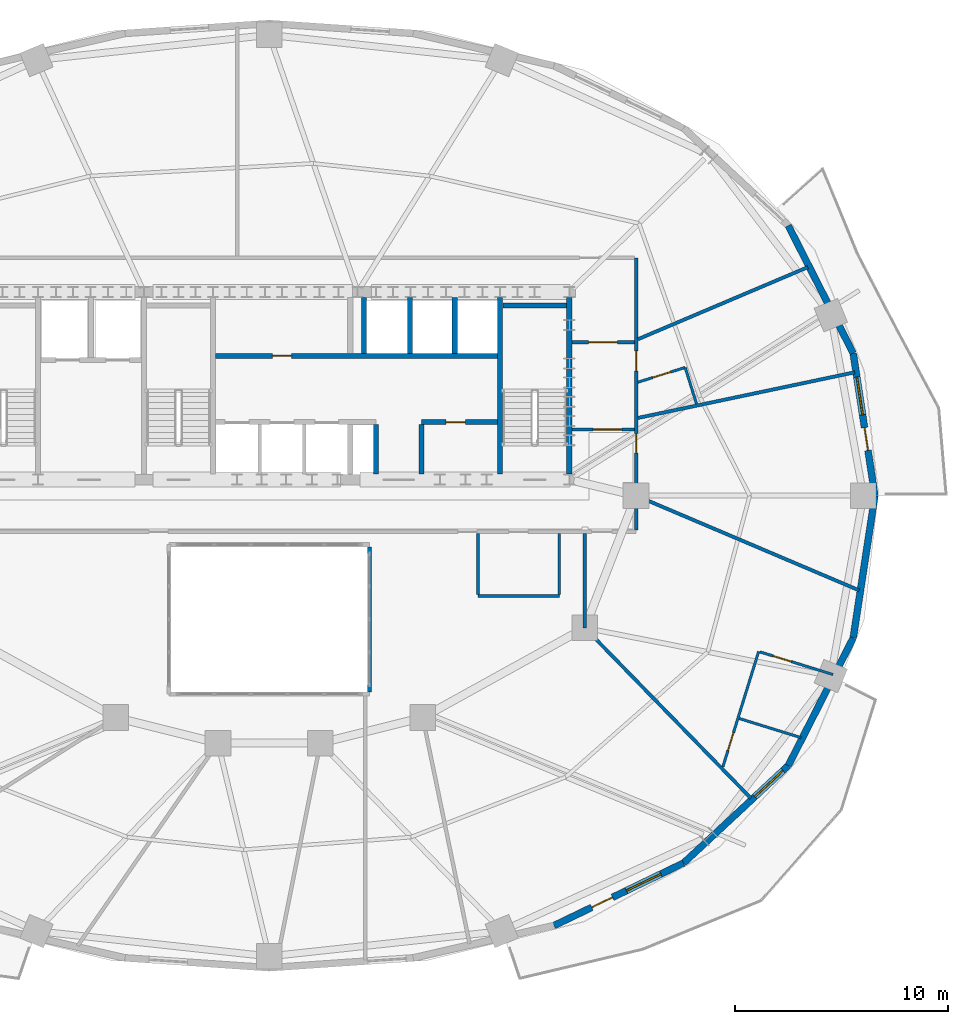
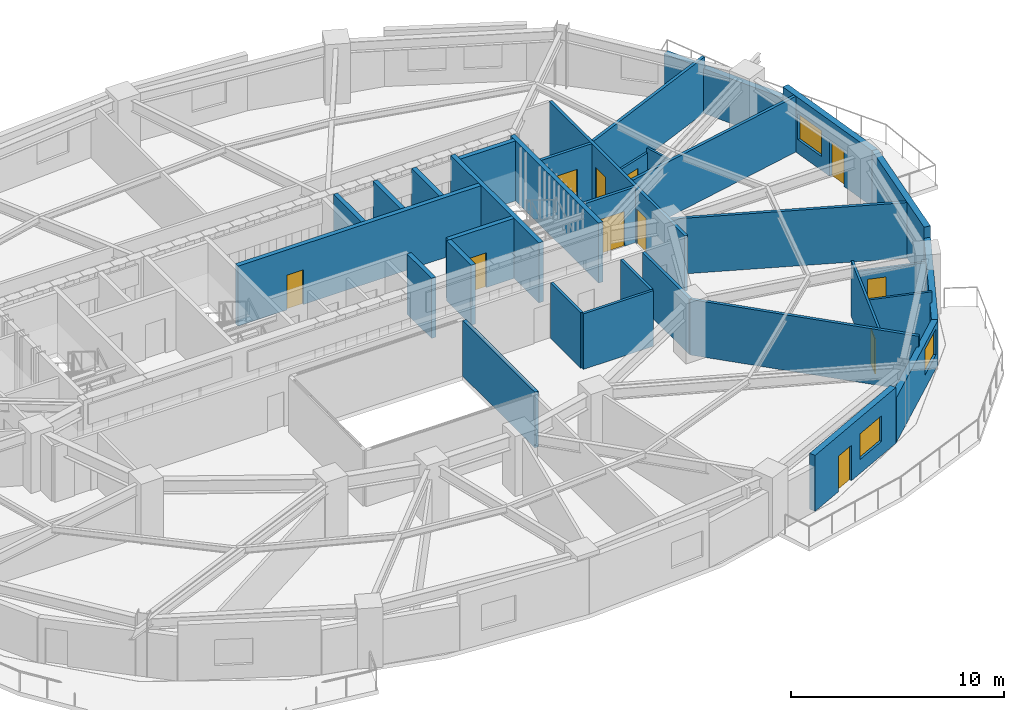
# One storey, part 8 of 12: 33 walls, 11 doors, 3 windows, 14 openings.
"""IFC4 building model written with IfcOpenShell, lengths in metres."""

from ifc_helpers import new_model, si_unit, direction, frame, frame_2d, origin, place, context, subcontext, project, spatial, rectangle, extrude, material, layer, layer_set, type_object, element, fill, save


model = new_model("IFC4")

# Units and contexts
model_context = context("Model", 3, precision=1e-05, world=origin(), true_north=direction((0.0, 1.0)))
body_context = subcontext(model_context, "Body", "Model", "MODEL_VIEW")
ifc_project = project(units=[si_unit("LENGTHUNIT", "METRE"), si_unit("AREAUNIT", "SQUARE_METRE"), si_unit("VOLUMEUNIT", "CUBIC_METRE"), si_unit("PLANEANGLEUNIT", "RADIAN"), si_unit("MASSUNIT", "GRAM", prefix="KILO")], contexts=[model_context])

# Site, building, storey
site_placement = place(None, origin())
site = spatial("IfcSite", under=ifc_project, at=site_placement, CompositionType="ELEMENT")
building_placement = place(site_placement, origin())
building = spatial("IfcBuilding", under=site, at=building_placement, Name="Haldorwick Loom Tower", CompositionType="ELEMENT")
storey_placement = place(building_placement, frame((0.0, 0.0, 117.35009765625)))
storey = spatial("IfcBuildingStorey", under=building, at=storey_placement, Name="L31", CompositionType="ELEMENT", Elevation=117.35009765625)

# Wall, openings, door, window
ifc_material_1 = material(Name="Pressed Clay Face Brick and Insulated Masonry Backup Assembly", Category="masonry")
ifc_layer_1 = layer(ifc_material_1, 0.320068359375, Name="Pressed Clay Face Brick and Insulated Masonry Backup Assembly", Category="masonry")
ifc_layer_set_1 = layer_set([ifc_layer_1], Name="Pressed Clay Face Brick and Insulated Masonry Backup Assembly")
wall_type_1 = type_object("IfcWallType", Name="ARC-WL-EXT320", PredefinedType="STANDARD", material=ifc_layer_set_1)
wall_1_placement = place(storey_placement, frame((64.397705078125, 26.0, 0.0), z_axis=(0.0, 0.0, 1.0), x_axis=(-0.150633288003, 0.988589708901, 0.0)))
wall_1 = element("IfcWall", 1, at=wall_1_placement, inside=storey, type_object=wall_type_1, Name="L31 Brick Pier and Spandrel Wall 1", PredefinedType="STANDARD", context=body_context, shape_type="SweptSolid", body=[
    extrude(rectangle(XDim=6.752197265625, YDim=0.320068359375, at=frame_2d((3.3759765625, 0.0))), origin(), (0.0, 0.0, 1.0), 3.2099609375),
])
opening_1_placement = place(wall_1_placement, frame((2.144287109375, 0.0, 0.0)))
opening_1 = element("IfcOpeningElement", 2, at=opening_1_placement, cuts=wall_1, Name="Opening D-BL11", PredefinedType="OPENING", context=body_context, shape_type="SweptSolid", body=[
    extrude(rectangle(XDim=1.080078125, YDim=2.0400390625, at=frame_2d((0.5400390625, 1.02001953125))), frame((0.0, 0.169921875, 0.0), z_axis=(0.0, -1.0, 0.0), x_axis=(1.0, 0.0, 0.0)), (0.0, 0.0, 1.0), 0.340087890625),
])
opening_2_placement = place(wall_1_placement, frame((3.826416015625, 0.0, 0.800048828125)))
opening_2 = element("IfcOpeningElement", 3, at=opening_2_placement, cuts=wall_1, Name="Opening W-01", PredefinedType="OPENING", context=body_context, shape_type="SweptSolid", body=[
    extrude(rectangle(XDim=1.800048828125, YDim=1.47998046875, at=frame_2d((0.89990234375, 0.739990234375))), frame((0.0, 0.169921875, 0.0), z_axis=(0.0, -1.0, 0.0), x_axis=(1.0, 0.0, 0.0)), (0.0, 0.0, 1.0), 0.340087890625),
])
ifc_material_2 = material(Name="Thermally Broken Anodized Aluminium Curtain Wall Framing", Category="aluminium")
door_type_1 = type_object("IfcDoorType", Name="ARC-DR-BAL110", OperationType="NOTDEFINED", PredefinedType="DOOR", material=ifc_material_2)
door_1_placement = place(opening_1_placement, origin())
door_1 = element("IfcDoor", 4, at=door_1_placement, inside=storey, type_object=door_type_1, Name="L31 Outdoor Terrace Door SLB-L31-BAL_ENE", OperationType="SINGLE_SWING_RIGHT", OverallHeight=2.0400390625, OverallWidth=1.080078125, PredefinedType="DOOR", context=body_context, shape_type="SweptSolid", body=[
    extrude(rectangle(XDim=1.080078125, YDim=2.0400390625, at=frame_2d((0.5400390625, 1.02001953125))), frame((0.0, 0.02490234375, 0.0), z_axis=(0.0, -1.0, 0.0), x_axis=(1.0, 0.0, 0.0)), (0.0, 0.0, 1.0), 0.050048828125),
])
fill(opening_1, door_1)
ifc_material_3 = material(Name="Triple-Glazed Low-E Argon Insulated Glazing Unit", Category="glass")
window_type = type_object("IfcWindowType", Name="ARC-WIN-W180", PartitioningType="SINGLE_PANEL", PredefinedType="WINDOW", material=ifc_material_3)
window_1_placement = place(opening_2_placement, origin())
window_1 = element("IfcWindow", 5, at=window_1_placement, inside=storey, type_object=window_type, Name="L31 Deep-Set Zone 7A Window 1", OverallHeight=1.47998046875, OverallWidth=1.800048828125, PartitioningType="SINGLE_PANEL", PredefinedType="WINDOW", context=body_context, shape_type="SweptSolid", body=[
    extrude(rectangle(XDim=1.800048828125, YDim=1.47998046875, at=frame_2d((0.89990234375, 0.739990234375))), frame((0.0, 0.030029296875, 0.0), z_axis=(0.0, -1.0, 0.0), x_axis=(1.0, 0.0, 0.0)), (0.0, 0.0, 1.0), 0.06005859375),
])
fill(opening_2, window_1)

# Wall
wall_2_placement = place(storey_placement, frame((63.380615234375, 32.675048828125, 0.0), z_axis=(0.0, 0.0, 1.0), x_axis=(-0.453374078001, 0.89132033826, 0.0)))
element("IfcWall", 6, at=wall_2_placement, inside=storey, type_object=wall_type_1, Name="L31 Brick Pier and Spandrel Wall 2", PredefinedType="STANDARD", context=body_context, shape_type="SweptSolid", body=[
    extrude(rectangle(XDim=6.709716796875, YDim=0.320068359375, at=frame_2d((3.35498046875, 0.0))), origin(), (0.0, 0.0, 1.0), 2.56884765625),
])

# Wall, openings, door, window
wall_3_placement = place(storey_placement, frame((49.352783203125, 5.841552734375, 0.0), z_axis=(0.0, 0.0, 1.0), x_axis=(0.900510094661, 0.434835106004, 0.0)))
wall_3 = element("IfcWall", 7, at=wall_3_placement, inside=storey, type_object=wall_type_1, Name="L31 Brick Pier and Spandrel Wall 21", PredefinedType="STANDARD", context=body_context, shape_type="SweptSolid", body=[
    extrude(rectangle(XDim=6.744873046875, YDim=0.320068359375, at=frame_2d((3.37255859375, 0.0))), origin(), (0.0, 0.0, 1.0), 3.2099609375),
])
opening_3_placement = place(wall_3_placement, frame((1.96826171875, 0.0, 0.0)))
opening_3 = element("IfcOpeningElement", 8, at=opening_3_placement, cuts=wall_3, Name="Opening D-BL11", PredefinedType="OPENING", context=body_context, shape_type="SweptSolid", body=[
    extrude(rectangle(XDim=1.080078125, YDim=2.0400390625, at=frame_2d((0.5400390625, 1.02001953125))), frame((0.0, 0.169921875, 0.0), z_axis=(0.0, -1.0, 0.0), x_axis=(1.0, 0.0, 0.0)), (0.0, 0.0, 1.0), 0.340087890625),
])
opening_4_placement = place(wall_3_placement, frame((3.763916015625, 0.0, 0.800048828125)))
opening_4 = element("IfcOpeningElement", 9, at=opening_4_placement, cuts=wall_3, Name="Opening W-01", PredefinedType="OPENING", context=body_context, shape_type="SweptSolid", body=[
    extrude(rectangle(XDim=1.800048828125, YDim=1.47998046875, at=frame_2d((0.89990234375, 0.739990234375))), frame((0.0, 0.169921875, 0.0), z_axis=(0.0, -1.0, 0.0), x_axis=(1.0, 0.0, 0.0)), (0.0, 0.0, 1.0), 0.340087890625),
])
door_2_placement = place(opening_3_placement, origin())
door_2 = element("IfcDoor", 10, at=door_2_placement, inside=storey, type_object=door_type_1, Name="L31 Outdoor Terrace Door SLB-L31-BAL_SE", OperationType="SINGLE_SWING_RIGHT", OverallHeight=2.0400390625, OverallWidth=1.080078125, PredefinedType="DOOR", context=body_context, shape_type="SweptSolid", body=[
    extrude(rectangle(XDim=1.080078125, YDim=2.0400390625, at=frame_2d((0.5400390625, 1.02001953125))), frame((0.0, 0.02490234375, 0.0), z_axis=(0.0, -1.0, 0.0), x_axis=(1.0, 0.0, 0.0)), (0.0, 0.0, 1.0), 0.050048828125),
])
fill(opening_3, door_2)
window_2_placement = place(opening_4_placement, origin())
window_2 = element("IfcWindow", 11, at=window_2_placement, inside=storey, type_object=window_type, Name="L31 Deep-Set Zone 7A Window 21", OverallHeight=1.47998046875, OverallWidth=1.800048828125, PartitioningType="SINGLE_PANEL", PredefinedType="WINDOW", context=body_context, shape_type="SweptSolid", body=[
    extrude(rectangle(XDim=1.800048828125, YDim=1.47998046875, at=frame_2d((0.89990234375, 0.739990234375))), frame((0.0, 0.030029296875, 0.0), z_axis=(0.0, -1.0, 0.0), x_axis=(1.0, 0.0, 0.0)), (0.0, 0.0, 1.0), 0.06005859375),
])
fill(opening_4, window_2)

# Wall, opening, window
wall_4_placement = place(storey_placement, frame((55.426513671875, 8.7744140625, 0.0), z_axis=(0.0, 0.0, 1.0), x_axis=(0.732137360086, 0.681157020052, 0.0)))
wall_4 = element("IfcWall", 12, at=wall_4_placement, inside=storey, type_object=wall_type_1, Name="L31 Brick Pier and Spandrel Wall 22", PredefinedType="STANDARD", context=body_context, shape_type="SweptSolid", body=[
    extrude(rectangle(XDim=6.709228515625, YDim=0.320068359375, at=frame_2d((3.3544921875, 0.0))), origin(), (0.0, 0.0, 1.0), 2.56884765625),
])
opening_5_placement = place(wall_4_placement, frame((4.569580078125, 0.0, 0.800048828125)))
opening_5 = element("IfcOpeningElement", 13, at=opening_5_placement, cuts=wall_4, Name="Opening W-01", PredefinedType="OPENING", context=body_context, shape_type="SweptSolid", body=[
    extrude(rectangle(XDim=1.800048828125, YDim=1.47998046875, at=frame_2d((0.89990234375, 0.739990234375))), frame((0.0, 0.169921875, 0.0), z_axis=(0.0, -1.0, 0.0), x_axis=(1.0, 0.0, 0.0)), (0.0, 0.0, 1.0), 0.340087890625),
])
window_3_placement = place(opening_5_placement, origin())
window_3 = element("IfcWindow", 14, at=window_3_placement, inside=storey, type_object=window_type, Name="L31 Deep-Set Zone 7A Window 22", OverallHeight=1.47998046875, OverallWidth=1.800048828125, PartitioningType="SINGLE_PANEL", PredefinedType="WINDOW", context=body_context, shape_type="SweptSolid", body=[
    extrude(rectangle(XDim=1.800048828125, YDim=1.47998046875, at=frame_2d((0.89990234375, 0.739990234375))), frame((0.0, 0.030029296875, 0.0), z_axis=(0.0, -1.0, 0.0), x_axis=(1.0, 0.0, 0.0)), (0.0, 0.0, 1.0), 0.06005859375),
])
fill(opening_5, window_3)

# Walls
wall_5_placement = place(storey_placement, frame((60.338623046875, 13.344482421875, 0.0), z_axis=(0.0, 0.0, 1.0), x_axis=(0.453374078001, 0.89132033826, 0.0)))
element("IfcWall", 15, at=wall_5_placement, inside=storey, type_object=wall_type_1, Name="L31 Brick Pier and Spandrel Wall 23", PredefinedType="STANDARD", context=body_context, shape_type="SweptSolid", body=[
    extrude(rectangle(XDim=6.709716796875, YDim=0.320068359375, at=frame_2d((3.35498046875, 0.0))), origin(), (0.0, 0.0, 1.0), 2.56884765625),
])
wall_6_placement = place(storey_placement, frame((63.380615234375, 19.324951171875, 0.0), z_axis=(0.0, 0.0, 1.0), x_axis=(0.150633288003, 0.988589708901, 0.0)))
element("IfcWall", 16, at=wall_6_placement, inside=storey, type_object=wall_type_1, Name="L31 Brick Pier and Spandrel Wall 24", PredefinedType="STANDARD", context=body_context, shape_type="SweptSolid", body=[
    extrude(rectangle(XDim=6.752197265625, YDim=0.320068359375, at=frame_2d((3.3759765625, 0.0))), origin(), (0.0, 0.0, 1.0), 3.2099609375),
])

# Wall, openings, doors
ifc_material_4 = material(Name="Fire-Rated Type X Gypsum Stud Assembly EI 60")
ifc_layer_2 = layer(ifc_material_4, 0.159912109375, Name="Fire-Rated Type X Gypsum Stud Assembly EI 60")
ifc_layer_set_2 = layer_set([ifc_layer_2], Name="Fire-Rated Type X Gypsum Stud Assembly EI 60")
wall_type_2 = type_object("IfcWallType", Name="ARC-WL-FIRE160", PredefinedType="PARTITIONING", material=ifc_layer_set_2)
wall_7_placement = place(storey_placement, frame((53.199951171875, 24.383056640625, 0.0), z_axis=(0.0, 0.0, 1.0), x_axis=(0.0, 1.0, 0.0)))
wall_7 = element("IfcWall", 17, at=wall_7_placement, inside=storey, type_object=wall_type_2, Name="L31 Residential Fire Partition L31-CR-E0", PredefinedType="PARTITIONING", context=body_context, shape_type="SweptSolid", body=[
    extrude(rectangle(XDim=12.766845703125, YDim=0.159912109375, at=frame_2d((6.38330078125, 0.0))), origin(), (0.0, 0.0, 1.0), 3.19482421875),
])
opening_6_placement = place(wall_7_placement, frame((3.622802734375, 0.0, 0.0)))
opening_6 = element("IfcOpeningElement", 18, at=opening_6_placement, cuts=wall_7, Name="Opening D-FD60A", PredefinedType="OPENING", context=body_context, shape_type="SweptSolid", body=[
    extrude(rectangle(XDim=0.89990234375, YDim=2.0, at=frame_2d((0.449951171875, 1.0))), frame((0.0, 0.08984375, 0.0), z_axis=(0.0, -1.0, 0.0), x_axis=(1.0, 0.0, 0.0)), (0.0, 0.0, 1.0), 0.179931640625),
])
opening_7_placement = place(wall_7_placement, frame((7.44921875, 0.0, 0.0)))
opening_7 = element("IfcOpeningElement", 19, at=opening_7_placement, cuts=wall_7, Name="Opening D-FL95", PredefinedType="OPENING", context=body_context, shape_type="SweptSolid", body=[
    extrude(rectangle(XDim=0.949951171875, YDim=2.0400390625, at=frame_2d((0.47509765625, 1.02001953125))), frame((0.0, 0.08984375, 0.0), z_axis=(0.0, -1.0, 0.0), x_axis=(1.0, 0.0, 0.0)), (0.0, 0.0, 1.0), 0.179931640625),
])
ifc_material_5 = material(Name="Hollow Steel Fire Door Assembly", Category="steel")
door_type_2 = type_object("IfcDoorType", Name="ARC-DR-FD60-90", OperationType="NOTDEFINED", PredefinedType="DOOR", material=ifc_material_5)
door_3_placement = place(opening_6_placement, origin())
door_3 = element("IfcDoor", 20, at=door_3_placement, inside=storey, type_object=door_type_2, Name="L31 L31 Central Residential Corridor to Community Music Hall 2 Door", OperationType="SINGLE_SWING_RIGHT", OverallHeight=2.0, OverallWidth=0.89990234375, PredefinedType="DOOR", context=body_context, shape_type="SweptSolid", body=[
    extrude(rectangle(XDim=0.89990234375, YDim=2.0, at=frame_2d((0.449951171875, 1.0))), frame((0.0, 0.02490234375, 0.0), z_axis=(0.0, -1.0, 0.0), x_axis=(1.0, 0.0, 0.0)), (0.0, 0.0, 1.0), 0.050048828125),
])
fill(opening_6, door_3)
ifc_material_6 = material(Name="Solid Core Birch Architectural Door")
door_type_3 = type_object("IfcDoorType", Name="ARC-DR-FLAT95", OperationType="NOTDEFINED", PredefinedType="DOOR", material=ifc_material_6)
door_4_placement = place(opening_7_placement, origin())
door_4 = element("IfcDoor", 21, at=door_4_placement, inside=storey, type_object=door_type_3, Name="L31 L31 East Residential Corridor to Unit 31C Kitchen and Studio Living ", OperationType="SINGLE_SWING_RIGHT", OverallHeight=2.0400390625, OverallWidth=0.949951171875, PredefinedType="DOOR", context=body_context, shape_type="SweptSolid", body=[
    extrude(rectangle(XDim=0.949951171875, YDim=2.0400390625, at=frame_2d((0.47509765625, 1.02001953125))), frame((0.0, 0.02490234375, 0.0), z_axis=(0.0, -1.0, 0.0), x_axis=(1.0, 0.0, 0.0)), (0.0, 0.0, 1.0), 0.050048828125),
])
fill(opening_7, door_4)

# Wall, opening, door
wall_8_placement = place(storey_placement, frame((50.193115234375, 29.10009765625, 0.0), z_axis=(0.0, 0.0, 1.0), x_axis=(1.0, 0.0, 0.0)))
wall_8 = element("IfcWall", 22, at=wall_8_placement, inside=storey, type_object=wall_type_2, Name="L31 Residential Fire Partition L31-CR-ESJ", PredefinedType="PARTITIONING", context=body_context, shape_type="SweptSolid", body=[
    extrude(rectangle(XDim=2.923828125, YDim=0.159912109375, at=frame_2d((1.4619140625, 0.0))), origin(), (0.0, 0.0, 1.0), 3.19482421875),
])
opening_8_placement = place(wall_8_placement, frame((0.99560546875, 0.0, 0.0)))
opening_8 = element("IfcOpeningElement", 23, at=opening_8_placement, cuts=wall_8, Name="Opening D-CR15", PredefinedType="OPENING", context=body_context, shape_type="SweptSolid", body=[
    extrude(rectangle(XDim=1.35009765625, YDim=2.0, at=frame_2d((0.675048828125, 1.0))), frame((0.0, 0.08984375, 0.0), z_axis=(0.0, -1.0, 0.0), x_axis=(1.0, 0.0, 0.0)), (0.0, 0.0, 1.0), 0.179931640625),
])
ifc_material_7 = material(Name="Thermally Broken Anodized Aluminium and Tempered Glass", Category="aluminium")
door_type_4 = type_object("IfcDoorType", Name="ARC-DR-COR150", OperationType="NOTDEFINED", PredefinedType="DOOR", material=ifc_material_7)
door_5_placement = place(opening_8_placement, origin())
door_5 = element("IfcDoor", 24, at=door_5_placement, inside=storey, type_object=door_type_4, Name="L31 L31 East Residential Corridor to L31 Central Residential Corridor Do", OperationType="DOUBLE_DOOR_SINGLE_SWING", OverallHeight=2.0, OverallWidth=1.35009765625, PredefinedType="DOOR", context=body_context, shape_type="SweptSolid", body=[
    extrude(rectangle(XDim=1.35009765625, YDim=2.0, at=frame_2d((0.675048828125, 1.0))), frame((0.0, 0.02490234375, 0.0), z_axis=(0.0, -1.0, 0.0), x_axis=(1.0, 0.0, 0.0)), (0.0, 0.0, 1.0), 0.050048828125),
])
fill(opening_8, door_5)

wall_9_placement = place(storey_placement, frame((50.193115234375, 33.199951171875, 0.0), z_axis=(0.0, 0.0, 1.0), x_axis=(1.0, 0.0, 0.0)))
wall_9 = element("IfcWall", 25, at=wall_9_placement, inside=storey, type_object=wall_type_2, Name="L31 Residential Fire Partition L31-CR-ENJ", PredefinedType="PARTITIONING", context=body_context, shape_type="SweptSolid", body=[
    extrude(rectangle(XDim=2.923828125, YDim=0.159912109375, at=frame_2d((1.4619140625, 0.0))), origin(), (0.0, 0.0, 1.0), 3.19482421875),
])
opening_9_placement = place(wall_9_placement, frame((0.787109375, 0.0, 0.0)))
opening_9 = element("IfcOpeningElement", 26, at=opening_9_placement, cuts=wall_9, Name="Opening D-CR15", PredefinedType="OPENING", context=body_context, shape_type="SweptSolid", body=[
    extrude(rectangle(XDim=1.35009765625, YDim=2.0, at=frame_2d((0.675048828125, 1.0))), frame((0.0, 0.08984375, 0.0), z_axis=(0.0, -1.0, 0.0), x_axis=(1.0, 0.0, 0.0)), (0.0, 0.0, 1.0), 0.179931640625),
])
door_6_placement = place(opening_9_placement, origin())
door_6 = element("IfcDoor", 27, at=door_6_placement, inside=storey, type_object=door_type_4, Name="L31 L31 North Residential Corridor to L31 East Residential Corridor Door", OperationType="DOUBLE_DOOR_SINGLE_SWING", OverallHeight=2.0, OverallWidth=1.35009765625, PredefinedType="DOOR", context=body_context, shape_type="SweptSolid", body=[
    extrude(rectangle(XDim=1.35009765625, YDim=2.0, at=frame_2d((0.675048828125, 1.0))), frame((0.0, 0.02490234375, 0.0), z_axis=(0.0, -1.0, 0.0), x_axis=(1.0, 0.0, 0.0)), (0.0, 0.0, 1.0), 0.050048828125),
])
fill(opening_9, door_6)

# Walls
wall_10_placement = place(storey_placement, frame((53.282958984375, 25.96484375, 0.0), z_axis=(0.0, 0.0, 1.0), x_axis=(0.920498907927, -0.390745134973, 0.0)))
element("IfcWall", 28, at=wall_10_placement, inside=storey, type_object=wall_type_2, Name="L31 Residential Fire Partition L31-ICR-01", PredefinedType="PARTITIONING", context=body_context, shape_type="SweptSolid", body=[
    extrude(rectangle(XDim=11.268310546875, YDim=0.159912109375, at=frame_2d((5.63427734375, 0.0))), origin(), (0.0, 0.0, 1.0), 3.19482421875),
])
wall_11_placement = place(storey_placement, frame((50.800048828125, 19.800048828125, 0.0), z_axis=(0.0, 0.0, 1.0), x_axis=(0.69803761875, -0.716061088742, 0.0)))
element("IfcWall", 29, at=wall_11_placement, inside=storey, type_object=wall_type_2, Name="L31 Residential Fire Partition L31-ICR-03", PredefinedType="PARTITIONING", context=body_context, shape_type="SweptSolid", body=[
    extrude(rectangle(XDim=11.16162109375, YDim=0.159912109375, at=frame_2d((5.580810546875, 0.0))), origin(), (0.0, 0.0, 1.0), 3.19482421875),
])
wall_12_placement = place(storey_placement, frame((50.800048828125, 24.217041015625, 0.0), z_axis=(0.0, 0.0, 1.0), x_axis=(0.0, -1.0, 0.0)))
element("IfcWall", 30, at=wall_12_placement, inside=storey, type_object=wall_type_2, Name="L31 Residential Fire Partition L31-ICA-02", PredefinedType="PARTITIONING", context=body_context, shape_type="SweptSolid", body=[
    extrude(rectangle(XDim=4.4169921875, YDim=0.159912109375, at=frame_2d((2.20849609375, 0.0))), origin(), (0.0, 0.0, 1.0), 3.19482421875),
])
wall_13_placement = place(storey_placement, frame((53.282958984375, 33.330078125, 0.0), z_axis=(0.0, 0.0, 1.0), x_axis=(0.920630308553, 0.390435442772, 0.0)))
element("IfcWall", 31, at=wall_13_placement, inside=storey, type_object=wall_type_2, Name="L31 Suite Split Wall", PredefinedType="PARTITIONING", context=body_context, shape_type="SweptSolid", body=[
    extrude(rectangle(XDim=8.6591796875, YDim=0.159912109375, at=frame_2d((4.32958984375, 0.0))), origin(), (0.0, 0.0, 1.0), 3.19482421875),
])
wall_14_placement = place(storey_placement, frame((53.282958984375, 29.64013671875, 0.0), z_axis=(0.0, 0.0, 1.0), x_axis=(0.978535573252, 0.206077975245, 0.0)))
element("IfcWall", 32, at=wall_14_placement, inside=storey, type_object=wall_type_2, Name="L31 Suite Split Wall", PredefinedType="PARTITIONING", context=body_context, shape_type="SweptSolid", body=[
    extrude(rectangle(XDim=10.39111328125, YDim=0.159912109375, at=frame_2d((5.195556640625, 0.0))), origin(), (0.0, 0.0, 1.0), 3.19482421875),
])
ifc_material_8 = material(Name="Fire-Rated Type X Gypsum Stud Assembly EI 120")
ifc_layer_3 = layer(ifc_material_8, 0.199951171875, Name="Fire-Rated Type X Gypsum Stud Assembly EI 120")
ifc_layer_set_3 = layer_set([ifc_layer_3], Name="Fire-Rated Type X Gypsum Stud Assembly EI 120")
wall_type_3 = type_object("IfcWallType", Name="ARC-WL-FIRE200", PredefinedType="PARTITIONING", material=ifc_layer_set_3)
wall_15_placement = place(storey_placement, frame((40.699951171875, 23.596923828125, 0.0), z_axis=(0.0, 0.0, 1.0), x_axis=(0.0, -1.0, 0.0)))
element("IfcWall", 33, at=wall_15_placement, inside=storey, type_object=wall_type_3, Name="L31 Atrium Fire Enclosure Wall E", PredefinedType="PARTITIONING", context=body_context, shape_type="SweptSolid", body=[
    extrude(rectangle(XDim=6.7939453125, YDim=0.199951171875, at=frame_2d((3.39697265625, 0.0))), origin(), (0.0, 0.0, 1.0), 3.19482421875),
])

# Wall, opening, door
ifc_material_9 = material(Name="Acoustic Gypsum Stud Assembly STC 55")
ifc_layer_4 = layer(ifc_material_9, 0.1201171875, Name="Acoustic Gypsum Stud Assembly STC 55")
ifc_layer_set_4 = layer_set([ifc_layer_4], Name="Acoustic Gypsum Stud Assembly STC 55")
wall_type_4 = type_object("IfcWallType", Name="ARC-WL-PART120", PredefinedType="PARTITIONING", material=ifc_layer_set_4)
wall_16_placement = place(storey_placement, frame((57.27001953125, 13.28173828125, 0.0), z_axis=(0.0, 0.0, 1.0), x_axis=(0.29614712292, 0.955142335773, 0.0)))
wall_16 = element("IfcWall", 34, at=wall_16_placement, inside=storey, type_object=wall_type_4, Name="L31 Unit 31A Interior Partition", PredefinedType="PARTITIONING", context=body_context, shape_type="SweptSolid", body=[
    extrude(rectangle(XDim=5.666015625, YDim=0.1201171875, at=frame_2d((2.8330078125, 0.0))), origin(), (0.0, 0.0, 1.0), 3.19482421875),
])
opening_10_placement = place(wall_16_placement, frame((0.806396484375, 0.0, 0.0)))
opening_10 = element("IfcOpeningElement", 35, at=opening_10_placement, cuts=wall_16, Name="Opening D-BT88", PredefinedType="OPENING", context=body_context, shape_type="SweptSolid", body=[
    extrude(rectangle(XDim=0.8798828125, YDim=2.02001953125, at=frame_2d((0.43994140625, 1.010009765625))), frame((0.0, 0.070068359375, 0.0), z_axis=(0.0, -1.0, 0.0), x_axis=(1.0, 0.0, 0.0)), (0.0, 0.0, 1.0), 0.14013671875),
])
door_type_5 = type_object("IfcDoorType", Name="ARC-DR-BATH88", OperationType="NOTDEFINED", PredefinedType="DOOR", material=ifc_material_6)
door_7_placement = place(opening_10_placement, origin())
door_7 = element("IfcDoor", 36, at=door_7_placement, inside=storey, type_object=door_type_5, Name="L31 Unit 31A Kitchen and Penthouse Living Room to Unit 31A Bathroom Door", OperationType="SINGLE_SWING_RIGHT", OverallHeight=2.02001953125, OverallWidth=0.8798828125, PredefinedType="DOOR", context=body_context, shape_type="SweptSolid", body=[
    extrude(rectangle(XDim=0.8798828125, YDim=2.02001953125, at=frame_2d((0.43994140625, 1.010009765625))), frame((0.0, 0.02490234375, 0.0), z_axis=(0.0, -1.0, 0.0), x_axis=(1.0, 0.0, 0.0)), (0.0, 0.0, 1.0), 0.050048828125),
])
fill(opening_10, door_7)

wall_17_placement = place(storey_placement, frame((59.008056640625, 18.6748046875, 0.0), z_axis=(0.0, 0.0, 1.0), x_axis=(0.955157710932, -0.296097529959, 0.0)))
wall_17 = element("IfcWall", 37, at=wall_17_placement, inside=storey, type_object=wall_type_4, Name="L31 Unit 31A Interior Partition", PredefinedType="PARTITIONING", context=body_context, shape_type="SweptSolid", body=[
    extrude(rectangle(XDim=3.589111328125, YDim=0.1201171875, at=frame_2d((1.79443359375, 0.0))), origin(), (0.0, 0.0, 1.0), 2.56787109375),
])
opening_11_placement = place(wall_17_placement, frame((0.644287109375, 0.0, 0.0)))
opening_11 = element("IfcOpeningElement", 38, at=opening_11_placement, cuts=wall_17, Name="Opening D-IN90", PredefinedType="OPENING", context=body_context, shape_type="SweptSolid", body=[
    extrude(rectangle(XDim=0.89990234375, YDim=2.0400390625, at=frame_2d((0.449951171875, 1.02001953125))), frame((0.0, 0.070068359375, 0.0), z_axis=(0.0, -1.0, 0.0), x_axis=(1.0, 0.0, 0.0)), (0.0, 0.0, 1.0), 0.14013671875),
])
door_type_6 = type_object("IfcDoorType", Name="ARC-DR-INT90", OperationType="NOTDEFINED", PredefinedType="DOOR", material=ifc_material_6)
door_8_placement = place(opening_11_placement, origin())
door_8 = element("IfcDoor", 39, at=door_8_placement, inside=storey, type_object=door_type_6, Name="L31 Unit 31A Kitchen and Penthouse Living Room to Unit 31A Bedroom 1 Doo", OperationType="SINGLE_SWING_LEFT", OverallHeight=2.0400390625, OverallWidth=0.89990234375, PredefinedType="DOOR", context=body_context, shape_type="SweptSolid", body=[
    extrude(rectangle(XDim=0.89990234375, YDim=2.0400390625, at=frame_2d((0.449951171875, 1.02001953125))), frame((0.0, 0.02490234375, 0.0), z_axis=(0.0, -1.0, 0.0), x_axis=(1.0, 0.0, 0.0)), (0.0, 0.0, 1.0), 0.050048828125),
])
fill(opening_11, door_8)

# Walls
wall_18_placement = place(storey_placement, frame((58.039794921875, 15.551513671875, 0.0), z_axis=(0.0, 0.0, 1.0), x_axis=(0.955147520776, -0.296130399579, 0.0)))
element("IfcWall", 40, at=wall_18_placement, inside=storey, type_object=wall_type_4, Name="L31 Unit 31A Interior Partition", PredefinedType="PARTITIONING", context=body_context, shape_type="SweptSolid", body=[
    extrude(rectangle(XDim=3.028076171875, YDim=0.1201171875, at=frame_2d((1.51416015625, 0.0))), origin(), (0.0, 0.0, 1.0), 3.19482421875),
])
wall_19_placement = place(storey_placement, frame((56.033935546875, 30.30419921875, 0.0), z_axis=(0.0, 0.0, 1.0), x_axis=(-0.297074870096, 0.954854188637, 0.0)))
element("IfcWall", 41, at=wall_19_placement, inside=storey, type_object=wall_type_4, Name="L31 Unit 31C Interior Partition", PredefinedType="PARTITIONING", context=body_context, shape_type="SweptSolid", body=[
    extrude(rectangle(XDim=1.7841796875, YDim=0.1201171875, at=frame_2d((0.89208984375, 0.0))), origin(), (0.0, 0.0, 1.0), 2.826904296875),
])

# Wall, opening, door
wall_20_placement = place(storey_placement, frame((53.282958984375, 31.317138671875, 0.0), z_axis=(0.0, 0.0, 1.0), x_axis=(0.954891837705, 0.296953831908, 0.0)))
wall_20 = element("IfcWall", 42, at=wall_20_placement, inside=storey, type_object=wall_type_4, Name="L31 Unit 31C Interior Partition", PredefinedType="PARTITIONING", context=body_context, shape_type="SweptSolid", body=[
    extrude(rectangle(XDim=2.325927734375, YDim=0.1201171875, at=frame_2d((1.1630859375, 0.0))), origin(), (0.0, 0.0, 1.0), 2.56787109375),
])
opening_12_placement = place(wall_20_placement, frame((0.722900390625, 0.0, 0.0)))
opening_12 = element("IfcOpeningElement", 43, at=opening_12_placement, cuts=wall_20, Name="Opening D-BT88", PredefinedType="OPENING", context=body_context, shape_type="SweptSolid", body=[
    extrude(rectangle(XDim=0.8798828125, YDim=2.02001953125, at=frame_2d((0.43994140625, 1.010009765625))), frame((0.0, 0.070068359375, 0.0), z_axis=(0.0, -1.0, 0.0), x_axis=(1.0, 0.0, 0.0)), (0.0, 0.0, 1.0), 0.14013671875),
])
door_9_placement = place(opening_12_placement, origin())
door_9 = element("IfcDoor", 44, at=door_9_placement, inside=storey, type_object=door_type_5, Name="L31 Unit 31C Kitchen and Studio Living Room to Unit 31C Bathroom Door", OperationType="SINGLE_SWING_LEFT", OverallHeight=2.02001953125, OverallWidth=0.8798828125, PredefinedType="DOOR", context=body_context, shape_type="SweptSolid", body=[
    extrude(rectangle(XDim=0.8798828125, YDim=2.02001953125, at=frame_2d((0.43994140625, 1.010009765625))), frame((0.0, 0.02490234375, 0.0), z_axis=(0.0, -1.0, 0.0), x_axis=(1.0, 0.0, 0.0)), (0.0, 0.0, 1.0), 0.050048828125),
])
fill(opening_12, door_9)

# Walls
ifc_layer_5 = layer(ifc_material_4, 0.139892578125, Name="Fire-Rated Type X Gypsum Stud Assembly EI 60")
ifc_layer_set_5 = layer_set([ifc_layer_5], Name="Fire-Rated Type X Gypsum Stud Assembly EI 60")
wall_type_5 = type_object("IfcWallType", Name="ARC-WL-PART140", PredefinedType="PARTITIONING", material=ifc_layer_set_5)
wall_21_placement = place(storey_placement, frame((45.800048828125, 21.300048828125, 0.0), z_axis=(0.0, 0.0, 1.0), x_axis=(1.0, 0.0, 0.0)))
element("IfcWall", 45, at=wall_21_placement, inside=storey, type_object=wall_type_5, Name="L31 Residential Fire Partition L31-CWC-S", PredefinedType="PARTITIONING", context=body_context, shape_type="SweptSolid", body=[
    extrude(rectangle(XDim=3.800048828125, YDim=0.139892578125, at=frame_2d((1.89990234375, 0.0))), origin(), (0.0, 0.0, 1.0), 3.19482421875),
])
for number, where, z_axis, x_axis, name in (
    (46, (45.800048828125, 21.373046875, 0.0), (0.0, 0.0, 1.0), (0.0, 1.0, 0.0), "L31 Residential Fire Partition L31-CWC-W"),
    (47, (49.60009765625, 21.373046875, 0.0), (0.0, 0.0, 1.0), (0.0, 1.0, 0.0), "L31 Residential Fire Partition L31-CWC-E"),
):
    element("IfcWall", number, at=place(storey_placement, frame(where, z_axis=z_axis, x_axis=x_axis)), inside=storey, type_object=wall_type_5, Name=name, PredefinedType="PARTITIONING", context=body_context, shape_type="SweptSolid", body=[
        extrude(rectangle(XDim=2.843994140625, YDim=0.139892578125, at=frame_2d((1.421875, 0.0))), origin(), (0.0, 0.0, 1.0), 3.19482421875),
    ])
ifc_material_10 = material(Name="Concrete C50 (50 MPa)", Category="concrete")
ifc_layer_6 = layer(ifc_material_10, 0.239990234375, Name="Concrete C50 (50 MPa)", Category="concrete")
ifc_layer_set_6 = layer_set([ifc_layer_6], Name="Concrete C50 (50 MPa)")
wall_type_6 = type_object("IfcWallType", Name="STR-WL-SHAFT240", PredefinedType="SHEAR", material=ifc_layer_set_6)
for number, where, z_axis, x_axis, name in (
    (48, (50.070068359375, 27.0029296875, 0.0), (0.0, 0.0, 1.0), (0.0, 1.0, 0.0), "L31 Core Shear Wall E"),
    (49, (46.830078125, 27.0029296875, 0.0), (0.0, 0.0, 1.0), (0.0, 1.0, 0.0), "L31 Core Shear Wall 4"),
):
    element("IfcWall", number, at=place(storey_placement, frame(where, z_axis=z_axis, x_axis=x_axis)), inside=storey, type_object=wall_type_6, Name=name, PredefinedType="SHEAR", context=body_context, shape_type="SweptSolid", body=[
        extrude(rectangle(XDim=8.294189453125, YDim=0.239990234375, at=frame_2d((4.14697265625, 0.0))), origin(), (0.0, 0.0, 1.0), 3.449951171875),
    ])
wall_22_placement = place(storey_placement, frame((46.952880859375, 34.919921875, 0.0), z_axis=(0.0, 0.0, 1.0), x_axis=(1.0, 0.0, 0.0)))
element("IfcWall", 50, at=wall_22_placement, inside=storey, type_object=wall_type_6, Name="L31 Core Shear Wall 4N", PredefinedType="SHEAR", context=body_context, shape_type="SweptSolid", body=[
    extrude(rectangle(XDim=2.994140625, YDim=0.239990234375, at=frame_2d((1.4970703125, 0.0))), origin(), (0.0, 0.0, 1.0), 3.449951171875),
])

# Wall, opening, door
wall_23_placement = place(storey_placement, frame((33.492919921875, 32.550048828125, 0.0), z_axis=(0.0, 0.0, 1.0), x_axis=(1.0, 0.0, 0.0)))
wall_23 = element("IfcWall", 51, at=wall_23_placement, inside=storey, type_object=wall_type_6, Name="L31 Core Shear Wall LN", PredefinedType="SHEAR", context=body_context, shape_type="SweptSolid", body=[
    extrude(rectangle(XDim=13.214111328125, YDim=0.239990234375, at=frame_2d((6.60693359375, 0.0))), origin(), (0.0, 0.0, 1.0), 3.449951171875),
])
opening_13_placement = place(wall_23_placement, frame((2.656982421875, 0.0, 0.0)))
opening_13 = element("IfcOpeningElement", 52, at=opening_13_placement, cuts=wall_23, Name="Opening D-FD60A", PredefinedType="OPENING", context=body_context, shape_type="SweptSolid", body=[
    extrude(rectangle(XDim=0.89990234375, YDim=2.0, at=frame_2d((0.449951171875, 1.0))), frame((0.0, 0.1298828125, 0.0), z_axis=(0.0, -1.0, 0.0), x_axis=(1.0, 0.0, 0.0)), (0.0, 0.0, 1.0), 0.260009765625),
])
door_10_placement = place(opening_13_placement, frame((0.89990234375, 0.0, 0.0), z_axis=(0.0, 0.0, 1.0), x_axis=(-1.0, 0.0, 0.0)))
door_10 = element("IfcDoor", 53, at=door_10_placement, inside=storey, type_object=door_type_2, Name="L31 Housekeeping Store Door", OperationType="SINGLE_SWING_LEFT", OverallHeight=2.0, OverallWidth=0.89990234375, PredefinedType="DOOR", context=body_context, shape_type="SweptSolid", body=[
    extrude(rectangle(XDim=0.89990234375, YDim=2.0, at=frame_2d((0.449951171875, 1.0))), frame((0.0, 0.02490234375, 0.0), z_axis=(0.0, -1.0, 0.0), x_axis=(1.0, 0.0, 0.0)), (0.0, 0.0, 1.0), 0.050048828125),
])
fill(opening_13, door_10)

wall_24_placement = place(storey_placement, frame((43.14990234375, 29.449951171875, 0.0), z_axis=(0.0, 0.0, 1.0), x_axis=(1.0, 0.0, 0.0)))
wall_24 = element("IfcWall", 54, at=wall_24_placement, inside=storey, type_object=wall_type_6, Name="L31 Core Shear Wall LS2", PredefinedType="SHEAR", context=body_context, shape_type="SweptSolid", body=[
    extrude(rectangle(XDim=3.55712890625, YDim=0.239990234375, at=frame_2d((1.778564453125, 0.0))), origin(), (0.0, 0.0, 1.0), 3.449951171875),
])
opening_14_placement = place(wall_24_placement, frame((1.14990234375, 0.0, 0.0)))
opening_14 = element("IfcOpeningElement", 55, at=opening_14_placement, cuts=wall_24, Name="Opening D-FD60A", PredefinedType="OPENING", context=body_context, shape_type="SweptSolid", body=[
    extrude(rectangle(XDim=0.89990234375, YDim=2.0, at=frame_2d((0.449951171875, 1.0))), frame((0.0, 0.1298828125, 0.0), z_axis=(0.0, -1.0, 0.0), x_axis=(1.0, 0.0, 0.0)), (0.0, 0.0, 1.0), 0.260009765625),
])
door_11_placement = place(opening_14_placement, origin())
door_11 = element("IfcDoor", 56, at=door_11_placement, inside=storey, type_object=door_type_2, Name="L31 Electrical Metering Door", OperationType="SINGLE_SWING_LEFT", OverallHeight=2.0, OverallWidth=0.89990234375, PredefinedType="DOOR", context=body_context, shape_type="SweptSolid", body=[
    extrude(rectangle(XDim=0.89990234375, YDim=2.0, at=frame_2d((0.449951171875, 1.0))), frame((0.0, 0.02490234375, 0.0), z_axis=(0.0, -1.0, 0.0), x_axis=(1.0, 0.0, 0.0)), (0.0, 0.0, 1.0), 0.050048828125),
])
fill(opening_14, door_11)

# Walls
for number, where, z_axis, x_axis, name in (
    (57, (41.0, 27.0029296875, 0.0), (0.0, 0.0, 1.0), (0.0, 1.0, 0.0), "L31 Core Shear Wall THW"),
    (58, (43.14990234375, 27.0029296875, 0.0), (0.0, 0.0, 1.0), (0.0, 1.0, 0.0), "L31 Core Shear Wall THE"),
):
    element("IfcWall", number, at=place(storey_placement, frame(where, z_axis=z_axis, x_axis=x_axis)), inside=storey, type_object=wall_type_6, Name=name, PredefinedType="SHEAR", context=body_context, shape_type="SweptSolid", body=[
        extrude(rectangle(XDim=2.323974609375, YDim=0.239990234375, at=frame_2d((1.162109375, 0.0))), origin(), (0.0, 0.0, 1.0), 3.449951171875),
    ])
for number, where, z_axis, x_axis, name in (
    (59, (40.449951171875, 32.673095703125, 0.0), (0.0, 0.0, 1.0), (0.0, 1.0, 0.0), "L31 Core Shear Wall H0"),
    (60, (42.60009765625, 32.673095703125, 0.0), (0.0, 0.0, 1.0), (0.0, 1.0, 0.0), "L31 Core Shear Wall H1"),
    (61, (44.699951171875, 32.673095703125, 0.0), (0.0, 0.0, 1.0), (0.0, 1.0, 0.0), "L31 Core Shear Wall H2"),
):
    element("IfcWall", number, at=place(storey_placement, frame(where, z_axis=z_axis, x_axis=x_axis)), inside=storey, type_object=wall_type_6, Name=name, PredefinedType="SHEAR", context=body_context, shape_type="SweptSolid", body=[
        extrude(rectangle(XDim=2.6240234375, YDim=0.239990234375, at=frame_2d((1.31201171875, 0.0))), origin(), (0.0, 0.0, 1.0), 3.449951171875),
    ])

save(model, "model.ifc")
